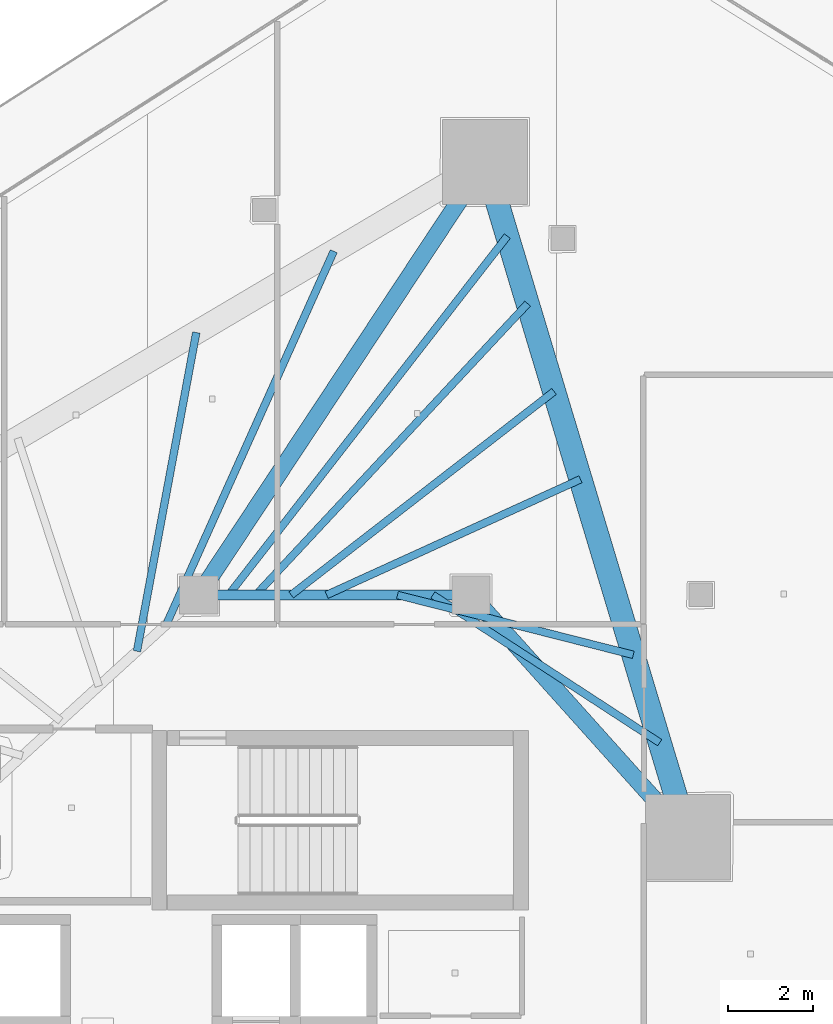
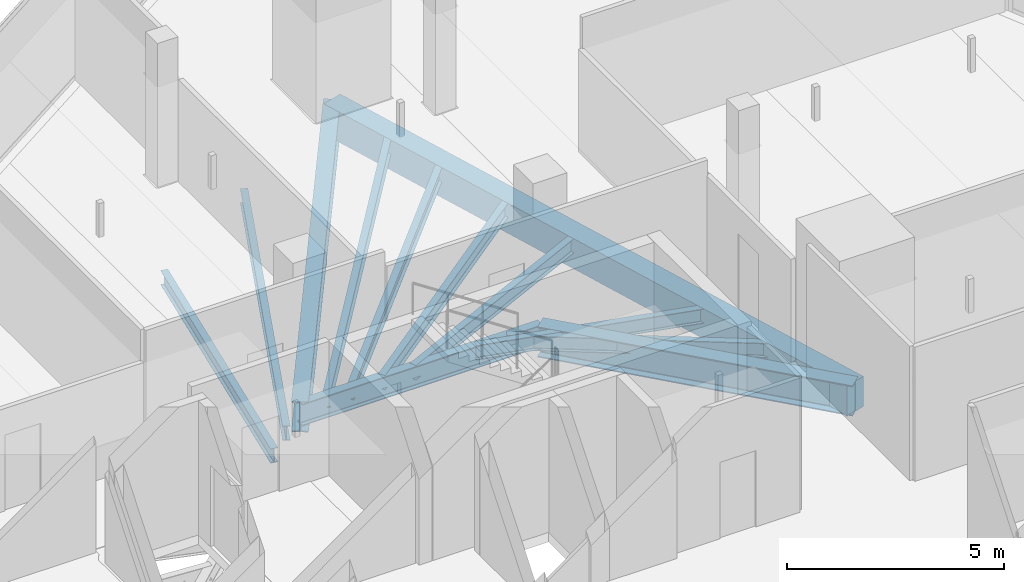
# One storey, part 19 of 37: 12 beams.
"""IFC4 building model written with IfcOpenShell, lengths in metres."""

from ifc_helpers import new_model, si_unit, direction, frame, origin, origin_2d, place, context, subcontext, project, spatial, rectangle, i_section, extrude, material, material_profile, profile_set, type_object, element, save


model = new_model("IFC4")

# Units and contexts
model_context = context("Model", 3, precision=1e-05, world=origin(), true_north=direction((0.0, 1.0)))
body_context = subcontext(model_context, "Body", "Model", "MODEL_VIEW")
ifc_project = project(units=[si_unit("LENGTHUNIT", "METRE"), si_unit("AREAUNIT", "SQUARE_METRE"), si_unit("VOLUMEUNIT", "CUBIC_METRE"), si_unit("PLANEANGLEUNIT", "RADIAN"), si_unit("MASSUNIT", "GRAM", prefix="KILO")], contexts=[model_context])

# Site, building, storey
site_placement = place(None, origin())
site = spatial("IfcSite", under=ifc_project, at=site_placement, CompositionType="ELEMENT")
building_placement = place(site_placement, origin())
building = spatial("IfcBuilding", under=site, at=building_placement, Name="Qorvath Tower", CompositionType="ELEMENT")
storey_placement = place(building_placement, frame((0.0, 0.0, 184.800048828125)))
storey = spatial("IfcBuildingStorey", under=building, at=storey_placement, Name="L42", CompositionType="ELEMENT", Elevation=184.800048828125)

# Beams
ifc_material_1 = material(Name="Steel ASTM A992 Grade 50", Category="steel")
ifc_material_profile_1 = material_profile(ifc_material_1, i_section(OverallWidth=0.39892578125, OverallDepth=0.85498046875, WebThickness=0.018310546875, FlangeThickness=0.029296875, FilletRadius=0.02001953125, at=origin_2d()), Name="W33x201")
ifc_profile_set_1 = profile_set([ifc_material_profile_1], Name="Steel ASTM A992 Grade 50")
beam_type_1 = type_object("IfcBeamType", Name="BM-FG2", PredefinedType="BEAM", material=ifc_profile_set_1)
beam_1_placement = place(storey_placement, frame((-23.60009765625, 11.449951171875, -0.697509765625), z_axis=(0.551500517741, 0.834174549439, 0.0), x_axis=(-0.834174549439, 0.551500517741, 0.0)))
element("IfcBeam", 1, at=beam_1_placement, inside=storey, type_object=beam_type_1, Name="Radial Floor Girder CC1-MC6 L42", PredefinedType="BEAM", context=body_context, shape_type="SweptSolid", body=[
    extrude(i_section(OverallWidth=0.39892578125, OverallDepth=0.85498046875, WebThickness=0.018310546875, FlangeThickness=0.029296875, FilletRadius=0.02001953125, at=origin_2d()), origin(), (0.0, 0.0, 1.0), 12.200439453125),
])
beam_2_placement = place(storey_placement, frame((-17.199951171875, 11.449951171875, -0.697509765625), z_axis=(0.667543184261, -0.744571082669, 0.0), x_axis=(0.744571082669, 0.667543184261, 0.0)))
element("IfcBeam", 2, at=beam_2_placement, inside=storey, type_object=beam_type_1, Name="Radial Floor Girder CC2-MC5 L42", PredefinedType="BEAM", context=body_context, shape_type="SweptSolid", body=[
    extrude(i_section(OverallWidth=0.39892578125, OverallDepth=0.85498046875, WebThickness=0.018310546875, FlangeThickness=0.029296875, FilletRadius=0.02001953125, at=origin_2d()), origin(), (0.0, 0.0, 1.0), 7.644775390625),
])
ifc_material_2 = material(Name="Steel ASTM A992 Grade 50", Category="steel")
ifc_material_profile_2 = material_profile(ifc_material_2, i_section(OverallWidth=0.22998046875, OverallDepth=0.616943359375, WebThickness=0.01318359375, FlangeThickness=0.022216796875, FilletRadius=0.014892578125, at=origin_2d()), Name="W24x94")
ifc_profile_set_2 = profile_set([ifc_material_profile_2], Name="Steel ASTM A992 Grade 50")
beam_type_2 = type_object("IfcBeamType", Name="BM-FG6", PredefinedType="BEAM", material=ifc_profile_set_2)
beam_3_placement = place(storey_placement, frame((-23.60009765625, 11.449951171875, -0.57861328125), z_axis=(1.0, 0.0, 0.0), x_axis=(0.0, 1.0, 0.0)))
element("IfcBeam", 3, at=beam_3_placement, inside=storey, type_object=beam_type_2, Name="Core Ring Girder CC1-CC2 L42", PredefinedType="BEAM", context=body_context, shape_type="SweptSolid", body=[
    extrude(i_section(OverallWidth=0.22998046875, OverallDepth=0.616943359375, WebThickness=0.01318359375, FlangeThickness=0.022216796875, FilletRadius=0.014892578125, at=origin_2d()), origin(), (0.0, 0.0, 1.0), 6.400146484375),
])
ifc_material_3 = material(Name="Steel ASTM A992 Grade 50", Category="steel")
ifc_material_profile_3 = material_profile(ifc_material_3, i_section(OverallWidth=0.177978515625, OverallDepth=0.406005859375, WebThickness=0.0078125, FlangeThickness=0.0126953125, FilletRadius=0.010986328125, at=origin_2d()), Name="W16x40")
ifc_profile_set_3 = profile_set([ifc_material_profile_3], Name="Steel ASTM A992 Grade 50")
beam_type_3 = type_object("IfcBeamType", Name="BM-FJ3", PredefinedType="JOIST", material=ifc_profile_set_3)
beam_4_placement = place(storey_placement, frame((-18.095947265625, 11.449951171875, -0.47314453125), z_axis=(0.838041756057, -0.545606098853, 0.0), x_axis=(0.545606098853, 0.838041756057, 0.0)))
element("IfcBeam", 4, at=beam_4_placement, inside=storey, type_object=beam_type_3, Name="Composite Floor Joist NE1 L42", PredefinedType="JOIST", context=body_context, shape_type="SweptSolid", body=[
    extrude(i_section(OverallWidth=0.177978515625, OverallDepth=0.406005859375, WebThickness=0.0078125, FlangeThickness=0.0126953125, FilletRadius=0.010986328125, at=origin_2d()), origin(), (0.0, 0.0, 1.0), 6.36083984375),
])
beam_5_placement = place(storey_placement, frame((-18.927978515625, 11.449951171875, -0.47314453125), z_axis=(0.969231577698, -0.246150662794, 0.0), x_axis=(0.246150662794, 0.969231577698, 0.0)))
element("IfcBeam", 5, at=beam_5_placement, inside=storey, type_object=beam_type_3, Name="Composite Floor Joist NE2 L42", PredefinedType="JOIST", context=body_context, shape_type="SweptSolid", body=[
    extrude(i_section(OverallWidth=0.177978515625, OverallDepth=0.406005859375, WebThickness=0.0078125, FlangeThickness=0.0126953125, FilletRadius=0.010986328125, at=origin_2d()), origin(), (0.0, 0.0, 1.0), 5.718017578125),
])
beam_6_placement = place(storey_placement, frame((-20.592041015625, 11.449951171875, -0.47314453125), z_axis=(0.909945081179, 0.414728765868, 0.0), x_axis=(-0.414728765868, 0.909945081179, 0.0)))
element("IfcBeam", 6, at=beam_6_placement, inside=storey, type_object=beam_type_3, Name="Composite Floor Joist NE4 L42", PredefinedType="JOIST", context=body_context, shape_type="SweptSolid", body=[
    extrude(i_section(OverallWidth=0.177978515625, OverallDepth=0.406005859375, WebThickness=0.0078125, FlangeThickness=0.0126953125, FilletRadius=0.010986328125, at=origin_2d()), origin(), (0.0, 0.0, 1.0), 6.554931640625),
])
beam_7_placement = place(storey_placement, frame((-21.424072265625, 11.449951171875, -0.47314453125), z_axis=(0.790693445503, 0.612212279555, 0.0), x_axis=(-0.612212279555, 0.790693445503, 0.0)))
element("IfcBeam", 7, at=beam_7_placement, inside=storey, type_object=beam_type_3, Name="Composite Floor Joist NE5 L42", PredefinedType="JOIST", context=body_context, shape_type="SweptSolid", body=[
    extrude(i_section(OverallWidth=0.177978515625, OverallDepth=0.406005859375, WebThickness=0.0078125, FlangeThickness=0.0126953125, FilletRadius=0.010986328125, at=origin_2d()), origin(), (0.0, 0.0, 1.0), 7.810546875),
])
beam_8_placement = place(storey_placement, frame((-22.256103515625, 11.449951171875, -0.47314453125), z_axis=(0.682249490937, 0.731119437654, 0.0), x_axis=(-0.731119437654, 0.682249490937, 0.0)))
element("IfcBeam", 8, at=beam_8_placement, inside=storey, type_object=beam_type_3, Name="Composite Floor Joist NE6 L42", PredefinedType="JOIST", context=body_context, shape_type="SweptSolid", body=[
    extrude(i_section(OverallWidth=0.177978515625, OverallDepth=0.406005859375, WebThickness=0.0078125, FlangeThickness=0.0126953125, FilletRadius=0.010986328125, at=origin_2d()), origin(), (0.0, 0.0, 1.0), 9.362060546875),
])
beam_9_placement = place(storey_placement, frame((-22.89599609375, 11.449951171875, -0.47314453125), z_axis=(0.61345131907, 0.789732536452, 0.0), x_axis=(-0.789732536452, 0.61345131907, 0.0)))
element("IfcBeam", 9, at=beam_9_placement, inside=storey, type_object=beam_type_3, Name="Composite Floor Joist NE7 L42", PredefinedType="JOIST", context=body_context, shape_type="SweptSolid", body=[
    extrude(i_section(OverallWidth=0.177978515625, OverallDepth=0.406005859375, WebThickness=0.0078125, FlangeThickness=0.0126953125, FilletRadius=0.010986328125, at=origin_2d()), origin(), (0.0, 0.0, 1.0), 10.676513671875),
])
beam_10_placement = place(storey_placement, frame((-25.049072265625, 10.126953125, -0.47314453125), z_axis=(0.183026775988, 0.983107928598, 0.0), x_axis=(-0.983107928598, 0.183026775988, 0.0)))
element("IfcBeam", 10, at=beam_10_placement, inside=storey, type_object=beam_type_3, Name="Composite Floor Joist NW6 L42", PredefinedType="JOIST", context=body_context, shape_type="SweptSolid", body=[
    extrude(i_section(OverallWidth=0.177978515625, OverallDepth=0.406005859375, WebThickness=0.0078125, FlangeThickness=0.0126953125, FilletRadius=0.010986328125, at=origin_2d()), origin(), (0.0, 0.0, 1.0), 7.617919921875),
])
beam_11_placement = place(storey_placement, frame((-24.35888671875, 10.757080078125, -0.47314453125), z_axis=(0.409327209141, 0.912387656568, 0.0), x_axis=(-0.912387656568, 0.409327209141, 0.0)))
element("IfcBeam", 11, at=beam_11_placement, inside=storey, type_object=beam_type_3, Name="Composite Floor Joist NW7 L42", PredefinedType="JOIST", context=body_context, shape_type="SweptSolid", body=[
    extrude(i_section(OverallWidth=0.177978515625, OverallDepth=0.406005859375, WebThickness=0.0078125, FlangeThickness=0.0126953125, FilletRadius=0.010986328125, at=origin_2d()), origin(), (0.0, 0.0, 1.0), 9.611083984375),
])
ifc_material_4 = material(Name="Concrete C50/60", Category="concrete")
ifc_material_profile_4 = material_profile(ifc_material_4, rectangle(XDim=0.550048828125, YDim=0.85009765625, at=origin_2d()), Name="RCB 850x550")
ifc_profile_set_4 = profile_set([ifc_material_profile_4], Name="Concrete C50/60")
beam_type_4 = type_object("IfcBeamType", Name="BM-RCB2", PredefinedType="SPANDREL", material=ifc_profile_set_4)
beam_12_placement = place(storey_placement, frame((-12.0966796875, 5.7578125, -0.695068359375), z_axis=(-0.28812763802, 0.957592013443, 0.0), x_axis=(-0.957592013443, -0.28812763802, 0.0)))
element("IfcBeam", 12, at=beam_12_placement, inside=storey, type_object=beam_type_4, Name="Perimeter Loggia Frame Beam MC5-MC6 L42", PredefinedType="SPANDREL", context=body_context, shape_type="SweptSolid", body=[
    extrude(rectangle(XDim=0.550048828125, YDim=0.85009765625, at=origin_2d()), origin(), (0.0, 0.0, 1.0), 16.572265625),
])

save(model, "model.ifc")
